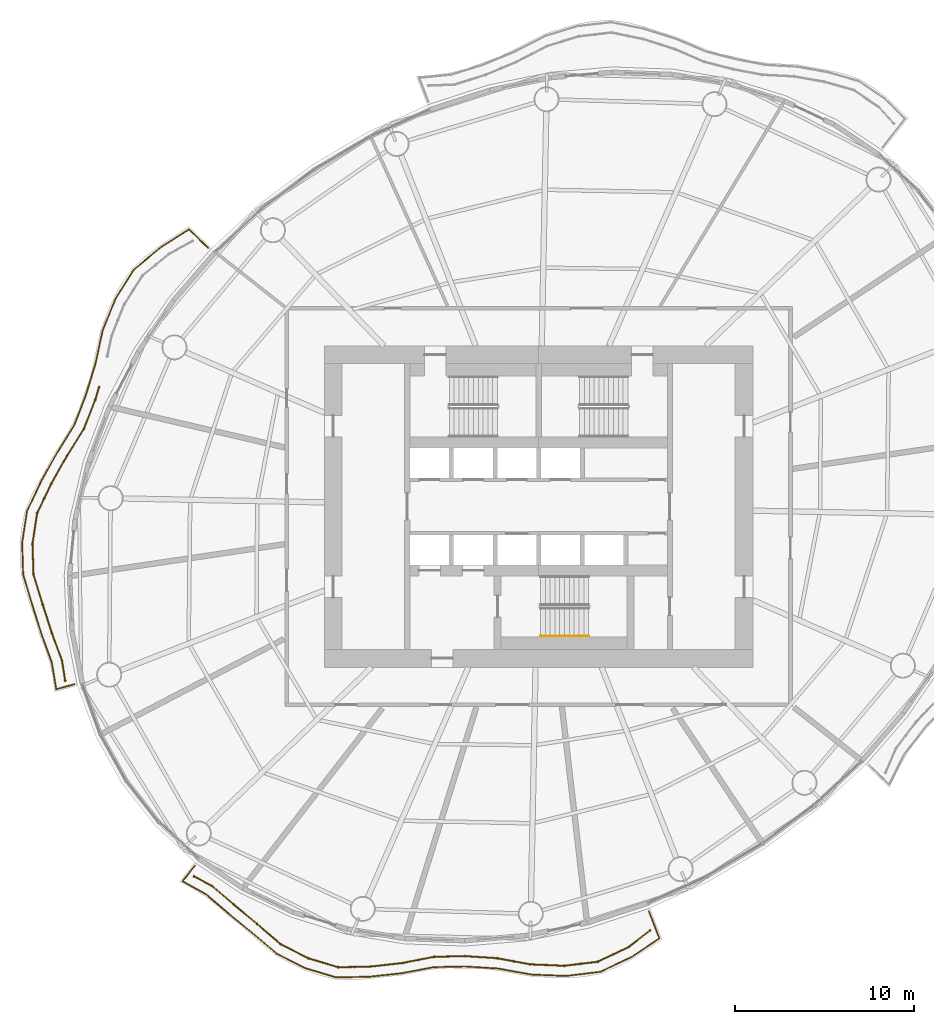
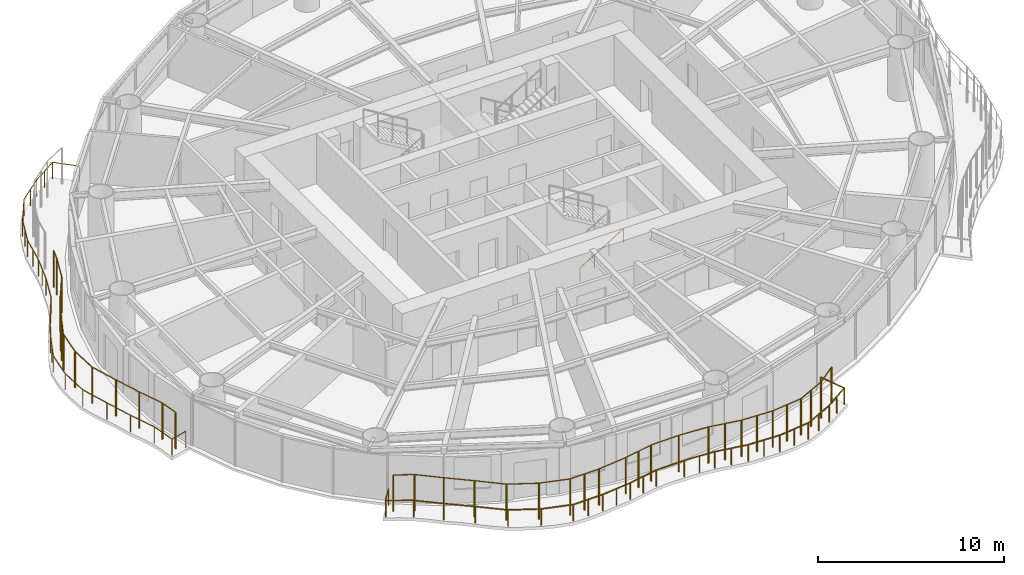
# One storey, part 12 of 15: 5 railings.
"""IFC4 building model written with IfcOpenShell, lengths in metres."""

from ifc_helpers import new_model, si_unit, direction, frame, origin, origin_2d, place, context, subcontext, project, spatial, circle, extrude, material, type_object, element, save


model = new_model("IFC4")

# Units and contexts
model_context = context("Model", 3, precision=1e-05, world=origin(), true_north=direction((0.0, 1.0)))
body_context = subcontext(model_context, "Body", "Model", "MODEL_VIEW")
ifc_project = project(units=[si_unit("LENGTHUNIT", "METRE"), si_unit("AREAUNIT", "SQUARE_METRE"), si_unit("VOLUMEUNIT", "CUBIC_METRE"), si_unit("PLANEANGLEUNIT", "RADIAN"), si_unit("MASSUNIT", "GRAM", prefix="KILO")], contexts=[model_context])

# Site, building, storey
site_placement = place(None, origin())
site = spatial("IfcSite", under=ifc_project, at=site_placement, CompositionType="ELEMENT")
building_placement = place(site_placement, origin())
building = spatial("IfcBuilding", under=site, at=building_placement, Name="Vermilion Reach Broadcast Tower", CompositionType="ELEMENT")
storey_placement = place(building_placement, frame((0.0, 0.0, 168.60009765625)))
storey = spatial("IfcBuildingStorey", under=building, at=storey_placement, Name="L40", CompositionType="ELEMENT", Elevation=168.60009765625)

# Railings
ifc_material_1 = material(Name="Terracotta baguette", Category="masonry")
railing_type_1 = type_object("IfcRailingType", Name="BAGUETTE SCREEN", PredefinedType="USERDEFINED", material=ifc_material_1)
railing_1_placement = place(storey_placement, frame((-30.609375, 6.679931640625, 0.0)))
element("IfcRailing", 1, at=railing_1_placement, inside=storey, type_object=railing_type_1, Name="Baguette screen L40 group 2 part 2", ObjectType="BAGUETTE SCREEN", PredefinedType="USERDEFINED", context=body_context, shape_type="SweptSolid", body=[
    extrude(circle(Radius=0.030029296875, at=origin_2d()), frame((0.0, 0.0, 2.369873046875), z_axis=(-0.290476188121, -0.956882220618, 0.0), x_axis=(0.956882220618, -0.290476188121, 0.0)), (0.0, 0.0, 1.0), 0.737060546875),
    extrude(circle(Radius=0.030029296875, at=origin_2d()), frame((-0.214111328125, -0.705322265625, 2.369873046875), z_axis=(-0.361602854633, -0.932332223792, 0.0), x_axis=(0.932332223792, -0.361602854633, 0.0)), (0.0, 0.0, 1.0), 1.732421875),
    extrude(circle(Radius=0.030029296875, at=origin_2d()), frame((-0.840576171875, -2.320556640625, 2.369873046875), z_axis=(-0.53152745541, -0.847041064025, 0.0), x_axis=(0.847041064025, -0.53152745541, 0.0)), (0.0, 0.0, 1.0), 1.793701171875),
    extrude(circle(Radius=0.030029296875, at=origin_2d()), frame((-1.7939453125, -3.83984375, 2.369873046875), z_axis=(-0.489981873744, -0.871732621509, 0.0), x_axis=(0.871732621509, -0.489981873744, 0.0)), (0.0, 0.0, 1.0), 1.7841796875),
    extrude(circle(Radius=0.030029296875, at=origin_2d()), frame((-2.668212890625, -5.395263671875, 2.369873046875), z_axis=(-0.435595960787, -0.900142299276, 0.0), x_axis=(0.900142299276, -0.435595960787, 0.0)), (0.0, 0.0, 1.0), 1.821533203125),
    extrude(circle(Radius=0.030029296875, at=origin_2d()), frame((-3.461669921875, -7.034912109375, 2.369873046875), z_axis=(-0.152363193982, -0.988324570735, 0.0), x_axis=(0.988324570735, -0.152363193982, 0.0)), (0.0, 0.0, 1.0), 1.738525390625),
    extrude(circle(Radius=0.030029296875, at=origin_2d()), frame((-3.7265625, -8.753173828125, 2.369873046875), z_axis=(0.033524122721, -0.999437908625, 0.0), x_axis=(0.999437908625, 0.033524122721, 0.0)), (0.0, 0.0, 1.0), 1.747802734375),
    extrude(circle(Radius=0.030029296875, at=origin_2d()), frame((-3.66796875, -10.5, 2.369873046875), z_axis=(0.293958397258, -0.955818215291, 0.0), x_axis=(0.955818215291, 0.293958397258, 0.0)), (0.0, 0.0, 1.0), 1.75),
    extrude(circle(Radius=0.030029296875, at=origin_2d()), frame((-3.153564453125, -12.172607421875, 2.369873046875), z_axis=(0.306522509747, -0.951863409854, 0.0), x_axis=(0.951863409854, 0.306522509747, 0.0)), (0.0, 0.0, 1.0), 1.693359375),
    extrude(circle(Radius=0.030029296875, at=origin_2d()), frame((-2.634521484375, -13.784423828125, 2.369873046875), z_axis=(0.345307544404, -0.938489584267, 0.0), x_axis=(0.938489584267, 0.345307544404, 0.0)), (0.0, 0.0, 1.0), 1.62109375),
    extrude(circle(Radius=0.030029296875, at=origin_2d()), frame((-2.07470703125, -15.305908203125, 2.369873046875), z_axis=(0.156072813903, -0.98774555264, 0.0), x_axis=(0.98774555264, 0.156072813903, 0.0)), (0.0, 0.0, 1.0), 1.13720703125),
    extrude(circle(Radius=0.050048828125, at=origin_2d()), origin(), (0.0, 0.0, 1.0), 2.33984375),
    extrude(circle(Radius=0.050048828125, at=origin_2d()), frame((-0.214111328125, -0.705322265625, 0.0)), (0.0, 0.0, 1.0), 2.33984375),
    extrude(circle(Radius=0.050048828125, at=origin_2d()), frame((-0.840576171875, -2.320556640625, 0.0)), (0.0, 0.0, 1.0), 2.33984375),
    extrude(circle(Radius=0.050048828125, at=origin_2d()), frame((-1.7939453125, -3.83984375, 0.0)), (0.0, 0.0, 1.0), 2.33984375),
    extrude(circle(Radius=0.050048828125, at=origin_2d()), frame((-2.668212890625, -5.395263671875, 0.0)), (0.0, 0.0, 1.0), 2.33984375),
    extrude(circle(Radius=0.050048828125, at=origin_2d()), frame((-3.06494140625, -6.215087890625, 0.0)), (0.0, 0.0, 1.0), 2.33984375),
    extrude(circle(Radius=0.050048828125, at=origin_2d()), frame((-3.461669921875, -7.034912109375, 0.0)), (0.0, 0.0, 1.0), 2.33984375),
    extrude(circle(Radius=0.050048828125, at=origin_2d()), frame((-3.7265625, -8.753173828125, 0.0)), (0.0, 0.0, 1.0), 2.33984375),
    extrude(circle(Radius=0.050048828125, at=origin_2d()), frame((-3.66796875, -10.5, 0.0)), (0.0, 0.0, 1.0), 2.33984375),
    extrude(circle(Radius=0.050048828125, at=origin_2d()), frame((-3.153564453125, -12.172607421875, 0.0)), (0.0, 0.0, 1.0), 2.33984375),
    extrude(circle(Radius=0.050048828125, at=origin_2d()), frame((-2.634521484375, -13.784423828125, 0.0)), (0.0, 0.0, 1.0), 2.33984375),
    extrude(circle(Radius=0.050048828125, at=origin_2d()), frame((-2.07470703125, -15.305908203125, 0.0)), (0.0, 0.0, 1.0), 2.33984375),
    extrude(circle(Radius=0.050048828125, at=origin_2d()), frame((-1.897216796875, -16.42919921875, 0.0)), (0.0, 0.0, 1.0), 2.33984375),
])
railing_2_placement = place(storey_placement, frame((-25.295166015625, -20.702880859375, 0.0)))
element("IfcRailing", 2, at=railing_2_placement, inside=storey, type_object=railing_type_1, Name="Baguette screen L40 group 3", ObjectType="BAGUETTE SCREEN", PredefinedType="USERDEFINED", context=body_context, shape_type="SweptSolid", body=[
    extrude(circle(Radius=0.030029296875, at=origin_2d()), frame((0.0, 0.0, 2.369873046875), z_axis=(0.883534155188, -0.468366733037, 0.0), x_axis=(0.468366733037, 0.883534155188, 0.0)), (0.0, 0.0, 1.0), 1.147216796875),
    extrude(circle(Radius=0.030029296875, at=origin_2d()), frame((1.013671875, -0.537353515625, 2.369873046875), z_axis=(0.759106276442, -0.650966712717, 0.0), x_axis=(0.650966712717, 0.759106276442, 0.0)), (0.0, 0.0, 1.0), 1.605224609375),
    extrude(circle(Radius=0.030029296875, at=origin_2d()), frame((2.232177734375, -1.582275390625, 2.369873046875), z_axis=(0.769233247849, -0.63896808246, 0.0), x_axis=(0.63896808246, 0.769233247849, 0.0)), (0.0, 0.0, 1.0), 1.67919921875),
    extrude(circle(Radius=0.030029296875, at=origin_2d()), frame((3.52392578125, -2.6552734375, 2.369873046875), z_axis=(0.758349403457, -0.651848281639, 0.0), x_axis=(0.651848281639, 0.758349403457, 0.0)), (0.0, 0.0, 1.0), 1.7490234375),
    extrude(circle(Radius=0.030029296875, at=origin_2d()), frame((4.850341796875, -3.79541015625, 2.369873046875), z_axis=(0.891282972537, -0.453447530444, 0.0), x_axis=(0.453447530444, 0.891282972537, 0.0)), (0.0, 0.0, 1.0), 1.75146484375),
    extrude(circle(Radius=0.030029296875, at=origin_2d()), frame((6.411376953125, -4.589599609375, 2.369873046875), z_axis=(0.957768330376, -0.287540997647, 0.0), x_axis=(0.287540997647, 0.957768330376, 0.0)), (0.0, 0.0, 1.0), 1.73974609375),
    extrude(circle(Radius=0.030029296875, at=origin_2d()), frame((8.07763671875, -5.08984375, 2.369873046875), z_axis=(0.999759252653, 0.021941666646, 0.0), x_axis=(-0.021941666646, 0.999759252653, 0.0)), (0.0, 0.0, 1.0), 1.813720703125),
    extrude(circle(Radius=0.030029296875, at=origin_2d()), frame((9.890869140625, -5.050048828125, 2.369873046875), z_axis=(0.993714642762, 0.111942881683, 0.0), x_axis=(-0.111942881683, 0.993714642762, 0.0)), (0.0, 0.0, 1.0), 1.79052734375),
    extrude(circle(Radius=0.030029296875, at=origin_2d()), frame((11.670166015625, -4.849609375, 2.369873046875), z_axis=(0.981592951881, 0.190985017257, 0.0), x_axis=(-0.190985017257, 0.981592951881, 0.0)), (0.0, 0.0, 1.0), 1.812744140625),
    extrude(circle(Radius=0.030029296875, at=origin_2d()), frame((13.449462890625, -4.50341796875, 2.369873046875), z_axis=(0.99977385749, 0.021265791306, 0.0), x_axis=(-0.021265791306, 0.99977385749, 0.0)), (0.0, 0.0, 1.0), 1.733642578125),
    extrude(circle(Radius=0.030029296875, at=origin_2d()), frame((15.1826171875, -4.466552734375, 2.369873046875), z_axis=(0.997911161701, -0.064601186922, 0.0), x_axis=(0.064601186922, 0.997911161701, 0.0)), (0.0, 0.0, 1.0), 1.791259765625),
    extrude(circle(Radius=0.030029296875, at=origin_2d()), frame((16.97021484375, -4.582275390625, 2.369873046875), z_axis=(0.98316311633, -0.182730092456, 0.0), x_axis=(0.182730092456, 0.98316311633, 0.0)), (0.0, 0.0, 1.0), 1.882568359375),
    extrude(circle(Radius=0.030029296875, at=origin_2d()), frame((18.821044921875, -4.92626953125, 2.369873046875), z_axis=(0.999101961717, -0.042370627717, 0.0), x_axis=(0.042370627717, 0.999101961717, 0.0)), (0.0, 0.0, 1.0), 1.9072265625),
    extrude(circle(Radius=0.030029296875, at=origin_2d()), frame((20.7265625, -5.007080078125, 2.369873046875), z_axis=(0.992857252377, 0.11930832495, 0.0), x_axis=(-0.11930832495, 0.992857252377, 0.0)), (0.0, 0.0, 1.0), 1.888671875),
    extrude(circle(Radius=0.030029296875, at=origin_2d()), frame((22.601806640625, -4.78173828125, 2.369873046875), z_axis=(0.902705896574, 0.430258136809, 0.0), x_axis=(-0.430258136809, 0.902705896574, 0.0)), (0.0, 0.0, 1.0), 1.927001953125),
    extrude(circle(Radius=0.030029296875, at=origin_2d()), frame((24.34130859375, -3.95263671875, 2.369873046875), z_axis=(0.789308552724, 0.613996749663, 0.0), x_axis=(-0.613996749663, 0.789308552724, 0.0)), (0.0, 0.0, 1.0), 1.50537109375),
    extrude(circle(Radius=0.050048828125, at=origin_2d()), origin(), (0.0, 0.0, 1.0), 2.33984375),
    extrude(circle(Radius=0.050048828125, at=origin_2d()), frame((1.013671875, -0.537353515625, 0.0)), (0.0, 0.0, 1.0), 2.33984375),
    extrude(circle(Radius=0.050048828125, at=origin_2d()), frame((2.232177734375, -1.582275390625, 0.0)), (0.0, 0.0, 1.0), 2.33984375),
    extrude(circle(Radius=0.050048828125, at=origin_2d()), frame((3.52392578125, -2.6552734375, 0.0)), (0.0, 0.0, 1.0), 2.33984375),
    extrude(circle(Radius=0.050048828125, at=origin_2d()), frame((4.850341796875, -3.79541015625, 0.0)), (0.0, 0.0, 1.0), 2.33984375),
    extrude(circle(Radius=0.050048828125, at=origin_2d()), frame((6.411376953125, -4.589599609375, 0.0)), (0.0, 0.0, 1.0), 2.33984375),
    extrude(circle(Radius=0.050048828125, at=origin_2d()), frame((8.07763671875, -5.08984375, 0.0)), (0.0, 0.0, 1.0), 2.33984375),
    extrude(circle(Radius=0.050048828125, at=origin_2d()), frame((8.984375, -5.06982421875, 0.0)), (0.0, 0.0, 1.0), 2.33984375),
    extrude(circle(Radius=0.050048828125, at=origin_2d()), frame((9.890869140625, -5.050048828125, 0.0)), (0.0, 0.0, 1.0), 2.33984375),
    extrude(circle(Radius=0.050048828125, at=origin_2d()), frame((11.670166015625, -4.849609375, 0.0)), (0.0, 0.0, 1.0), 2.33984375),
    extrude(circle(Radius=0.050048828125, at=origin_2d()), frame((12.559814453125, -4.676513671875, 0.0)), (0.0, 0.0, 1.0), 2.33984375),
    extrude(circle(Radius=0.050048828125, at=origin_2d()), frame((13.449462890625, -4.50341796875, 0.0)), (0.0, 0.0, 1.0), 2.33984375),
    extrude(circle(Radius=0.050048828125, at=origin_2d()), frame((15.1826171875, -4.466552734375, 0.0)), (0.0, 0.0, 1.0), 2.33984375),
    extrude(circle(Radius=0.050048828125, at=origin_2d()), frame((16.97021484375, -4.582275390625, 0.0)), (0.0, 0.0, 1.0), 2.33984375),
    extrude(circle(Radius=0.050048828125, at=origin_2d()), frame((17.8955078125, -4.75439453125, 0.0)), (0.0, 0.0, 1.0), 2.33984375),
    extrude(circle(Radius=0.050048828125, at=origin_2d()), frame((18.821044921875, -4.92626953125, 0.0)), (0.0, 0.0, 1.0), 2.33984375),
    extrude(circle(Radius=0.050048828125, at=origin_2d()), frame((19.77392578125, -4.966796875, 0.0)), (0.0, 0.0, 1.0), 2.33984375),
    extrude(circle(Radius=0.050048828125, at=origin_2d()), frame((20.7265625, -5.007080078125, 0.0)), (0.0, 0.0, 1.0), 2.33984375),
    extrude(circle(Radius=0.050048828125, at=origin_2d()), frame((21.6640625, -4.89453125, 0.0)), (0.0, 0.0, 1.0), 2.33984375),
    extrude(circle(Radius=0.050048828125, at=origin_2d()), frame((22.601806640625, -4.78173828125, 0.0)), (0.0, 0.0, 1.0), 2.33984375),
    extrude(circle(Radius=0.050048828125, at=origin_2d()), frame((23.4716796875, -4.3671875, 0.0)), (0.0, 0.0, 1.0), 2.33984375),
    extrude(circle(Radius=0.050048828125, at=origin_2d()), frame((24.34130859375, -3.95263671875, 0.0)), (0.0, 0.0, 1.0), 2.33984375),
    extrude(circle(Radius=0.050048828125, at=origin_2d()), frame((25.529541015625, -3.0283203125, 0.0)), (0.0, 0.0, 1.0), 2.33984375),
])
ifc_material_2 = material(Name="Stainless steel 316 balustrade", Category="steel")
railing_type_2 = type_object("IfcRailingType", Name="Balcony guard 1100", PredefinedType="BALUSTRADE", material=ifc_material_2)
railing_3_placement = place(storey_placement, frame((-24.496826171875, 14.470458984375, 0.0)))
element("IfcRailing", 3, at=railing_3_placement, inside=storey, type_object=railing_type_2, Name="Balcony guard L40 group 2", PredefinedType="BALUSTRADE", context=body_context, shape_type="SweptSolid", body=[
    extrude(circle(Radius=0.02490234375, at=origin_2d()), frame((0.0, 0.0, 1.0751953125), z_axis=(-0.719342688256, 0.694655379921, 0.0), x_axis=(-0.694655379921, -0.719342688256, 0.0)), (0.0, 0.0, 1.0), 1.503173828125),
    extrude(circle(Radius=0.02490234375, at=origin_2d()), frame((-1.081298828125, 1.044189453125, 1.0751953125), z_axis=(-0.843759310793, -0.536721739312, 0.0), x_axis=(0.536721739312, -0.843759310793, 0.0)), (0.0, 0.0, 1.0), 1.849609375),
    extrude(circle(Radius=0.02490234375, at=origin_2d()), frame((-2.641845703125, 0.051513671875, 1.0751953125), z_axis=(-0.770087680905, -0.637938056333, 0.0), x_axis=(0.637938056333, -0.770087680905, 0.0)), (0.0, 0.0, 1.0), 1.969482421875),
    extrude(circle(Radius=0.02490234375, at=origin_2d()), frame((-4.158447265625, -1.204833984375, 1.0751953125), z_axis=(-0.535340196831, -0.844636533461, 0.0), x_axis=(0.844636533461, -0.535340196831, 0.0)), (0.0, 0.0, 1.0), 1.9150390625),
    extrude(circle(Radius=0.02490234375, at=origin_2d()), frame((-5.18359375, -2.822265625, 1.0751953125), z_axis=(-0.375344986108, -0.926885182428, 0.0), x_axis=(0.926885182428, -0.375344986108, 0.0)), (0.0, 0.0, 1.0), 1.935791015625),
    extrude(circle(Radius=0.02490234375, at=origin_2d()), frame((-5.91015625, -4.616455078125, 1.0751953125), z_axis=(-0.210818870652, -0.977525142274, 0.0), x_axis=(0.977525142274, -0.210818870652, 0.0)), (0.0, 0.0, 1.0), 1.92578125),
    extrude(circle(Radius=0.02490234375, at=origin_2d()), frame((-6.316162109375, -6.4990234375, 1.0751953125), z_axis=(-0.293246556149, -0.956036849346, 0.0), x_axis=(0.956036849346, -0.293246556149, 0.0)), (0.0, 0.0, 1.0), 1.83984375),
    extrude(circle(Radius=0.02490234375, at=origin_2d()), frame((-6.855712890625, -8.258056640625, 1.0751953125), z_axis=(-0.362039767356, -0.932162650428, 0.0), x_axis=(0.932162650428, -0.362039767356, 0.0)), (0.0, 0.0, 1.0), 1.76806640625),
    extrude(circle(Radius=0.02490234375, at=origin_2d()), frame((-7.495849609375, -9.90625, 1.0751953125), z_axis=(-0.527562125691, -0.849516452776, 0.0), x_axis=(0.849516452776, -0.527562125691, 0.0)), (0.0, 0.0, 1.0), 1.829833984375),
    extrude(circle(Radius=0.02490234375, at=origin_2d()), frame((-8.461181640625, -11.460693359375, 1.0751953125), z_axis=(-0.48552904815, -0.874220534764, 0.0), x_axis=(0.874220534764, -0.48552904815, 0.0)), (0.0, 0.0, 1.0), 1.8203125),
    extrude(circle(Radius=0.02490234375, at=origin_2d()), frame((-9.344970703125, -13.052001953125, 1.0751953125), z_axis=(-0.430911855585, -0.902394022984, 0.0), x_axis=(0.902394022984, -0.430911855585, 0.0)), (0.0, 0.0, 1.0), 1.859375),
    extrude(circle(Radius=0.02490234375, at=origin_2d()), frame((-10.146240234375, -14.72998046875, 1.0751953125), z_axis=(-0.152026225003, -0.988376460116, 0.0), x_axis=(0.988376460116, -0.152026225003, 0.0)), (0.0, 0.0, 1.0), 1.77783203125),
    extrude(circle(Radius=0.02490234375, at=origin_2d()), frame((-10.41650390625, -16.487060546875, 1.0751953125), z_axis=(0.031388131128, -0.999507271221, 0.0), x_axis=(0.999507271221, 0.031388131128, 0.0)), (0.0, 0.0, 1.0), 1.7890625),
    extrude(circle(Radius=0.02490234375, at=origin_2d()), frame((-10.3603515625, -18.275146484375, 1.0751953125), z_axis=(0.287598209309, -0.957751152441, 0.0), x_axis=(0.957751152441, 0.287598209309, 0.0)), (0.0, 0.0, 1.0), 1.78955078125),
    extrude(circle(Radius=0.02490234375, at=origin_2d()), frame((-9.845703125, -19.989013671875, 1.0751953125), z_axis=(0.301205430133, -0.953559273909, 0.0), x_axis=(0.953559273909, 0.301205430133, 0.0)), (0.0, 0.0, 1.0), 1.7353515625),
    extrude(circle(Radius=0.02490234375, at=origin_2d()), frame((-9.322998046875, -21.643798828125, 1.0751953125), z_axis=(0.340599897235, -0.940208333298, 0.0), x_axis=(0.940208333298, 0.340599897235, 0.0)), (0.0, 0.0, 1.0), 1.66357421875),
    extrude(circle(Radius=0.02490234375, at=origin_2d()), frame((-8.75634765625, -23.2080078125, 1.0751953125), z_axis=(0.16617954183, -0.986095512553, 0.0), x_axis=(0.986095512553, 0.16617954183, 0.0)), (0.0, 0.0, 1.0), 1.51171875),
    extrude(circle(Radius=0.02490234375, at=origin_2d()), frame((-8.505126953125, -24.69873046875, 1.0751953125), z_axis=(0.963524600593, 0.267619775153, 0.0), x_axis=(-0.267619775153, 0.963524600593, 0.0)), (0.0, 0.0, 1.0), 1.04541015625),
    extrude(circle(Radius=0.02490234375, at=origin_2d()), origin(), (0.0, 0.0, 1.0), 1.050048828125),
    extrude(circle(Radius=0.02490234375, at=origin_2d()), frame((-1.081298828125, 1.044189453125, 0.0)), (0.0, 0.0, 1.0), 1.050048828125),
    extrude(circle(Radius=0.02490234375, at=origin_2d()), frame((-1.861572265625, 0.5478515625, 0.0)), (0.0, 0.0, 1.0), 1.050048828125),
    extrude(circle(Radius=0.02490234375, at=origin_2d()), frame((-2.641845703125, 0.051513671875, 0.0)), (0.0, 0.0, 1.0), 1.050048828125),
    extrude(circle(Radius=0.02490234375, at=origin_2d()), frame((-3.400146484375, -0.57666015625, 0.0)), (0.0, 0.0, 1.0), 1.050048828125),
    extrude(circle(Radius=0.02490234375, at=origin_2d()), frame((-4.158447265625, -1.204833984375, 0.0)), (0.0, 0.0, 1.0), 1.050048828125),
    extrude(circle(Radius=0.02490234375, at=origin_2d()), frame((-4.6708984375, -2.013671875, 0.0)), (0.0, 0.0, 1.0), 1.050048828125),
    extrude(circle(Radius=0.02490234375, at=origin_2d()), frame((-5.18359375, -2.822265625, 0.0)), (0.0, 0.0, 1.0), 1.050048828125),
    extrude(circle(Radius=0.02490234375, at=origin_2d()), frame((-5.546875, -3.71923828125, 0.0)), (0.0, 0.0, 1.0), 1.050048828125),
    extrude(circle(Radius=0.02490234375, at=origin_2d()), frame((-5.91015625, -4.616455078125, 0.0)), (0.0, 0.0, 1.0), 1.050048828125),
    extrude(circle(Radius=0.02490234375, at=origin_2d()), frame((-6.11328125, -5.5576171875, 0.0)), (0.0, 0.0, 1.0), 1.050048828125),
    extrude(circle(Radius=0.02490234375, at=origin_2d()), frame((-6.316162109375, -6.4990234375, 0.0)), (0.0, 0.0, 1.0), 1.050048828125),
    extrude(circle(Radius=0.02490234375, at=origin_2d()), frame((-6.5859375, -7.37841796875, 0.0)), (0.0, 0.0, 1.0), 1.050048828125),
    extrude(circle(Radius=0.02490234375, at=origin_2d()), frame((-6.855712890625, -8.258056640625, 0.0)), (0.0, 0.0, 1.0), 1.050048828125),
    extrude(circle(Radius=0.02490234375, at=origin_2d()), frame((-7.495849609375, -9.90625, 0.0)), (0.0, 0.0, 1.0), 1.050048828125),
    extrude(circle(Radius=0.02490234375, at=origin_2d()), frame((-7.978515625, -10.68359375, 0.0)), (0.0, 0.0, 1.0), 1.050048828125),
    extrude(circle(Radius=0.02490234375, at=origin_2d()), frame((-8.461181640625, -11.460693359375, 0.0)), (0.0, 0.0, 1.0), 1.050048828125),
    extrude(circle(Radius=0.02490234375, at=origin_2d()), frame((-8.903076171875, -12.25634765625, 0.0)), (0.0, 0.0, 1.0), 1.050048828125),
    extrude(circle(Radius=0.02490234375, at=origin_2d()), frame((-9.344970703125, -13.052001953125, 0.0)), (0.0, 0.0, 1.0), 1.050048828125),
    extrude(circle(Radius=0.02490234375, at=origin_2d()), frame((-9.74560546875, -13.89111328125, 0.0)), (0.0, 0.0, 1.0), 1.050048828125),
    extrude(circle(Radius=0.02490234375, at=origin_2d()), frame((-10.146240234375, -14.72998046875, 0.0)), (0.0, 0.0, 1.0), 1.050048828125),
    extrude(circle(Radius=0.02490234375, at=origin_2d()), frame((-10.41650390625, -16.487060546875, 0.0)), (0.0, 0.0, 1.0), 1.050048828125),
    extrude(circle(Radius=0.02490234375, at=origin_2d()), frame((-10.3603515625, -18.275146484375, 0.0)), (0.0, 0.0, 1.0), 1.050048828125),
    extrude(circle(Radius=0.02490234375, at=origin_2d()), frame((-9.845703125, -19.989013671875, 0.0)), (0.0, 0.0, 1.0), 1.050048828125),
    extrude(circle(Radius=0.02490234375, at=origin_2d()), frame((-9.322998046875, -21.643798828125, 0.0)), (0.0, 0.0, 1.0), 1.050048828125),
    extrude(circle(Radius=0.02490234375, at=origin_2d()), frame((-8.75634765625, -23.2080078125, 0.0)), (0.0, 0.0, 1.0), 1.050048828125),
    extrude(circle(Radius=0.02490234375, at=origin_2d()), frame((-8.505126953125, -24.69873046875, 0.0)), (0.0, 0.0, 1.0), 1.050048828125),
    extrude(circle(Radius=0.02490234375, at=origin_2d()), frame((-7.497802734375, -24.4189453125, 0.0)), (0.0, 0.0, 1.0), 1.050048828125),
])
railing_4_placement = place(storey_placement, frame((-25.244384765625, -20.1083984375, 0.0)))
element("IfcRailing", 4, at=railing_4_placement, inside=storey, type_object=railing_type_2, Name="Balcony guard L40 group 3", PredefinedType="BALUSTRADE", context=body_context, shape_type="SweptSolid", body=[
    extrude(circle(Radius=0.02490234375, at=origin_2d()), frame((0.0, 0.0, 1.0751953125), z_axis=(-0.620232417704, -0.784418095169, 0.0), x_axis=(0.784418095169, -0.620232417704, 0.0)), (0.0, 0.0, 1.0), 1.103271484375),
    extrude(circle(Radius=0.02490234375, at=origin_2d()), frame((-0.684326171875, -0.865478515625, 1.0751953125), z_axis=(0.870673475378, -0.491861463497, 0.0), x_axis=(0.491861463497, 0.870673475378, 0.0)), (0.0, 0.0, 1.0), 1.520263671875),
    extrude(circle(Radius=0.02490234375, at=origin_2d()), frame((0.639404296875, -1.61328125, 1.0751953125), z_axis=(0.761708960159, -0.647919331409, 0.0), x_axis=(0.647919331409, 0.761708960159, 0.0)), (0.0, 0.0, 1.0), 1.647705078125),
    extrude(circle(Radius=0.02490234375, at=origin_2d()), frame((1.89453125, -2.680908203125, 1.0751953125), z_axis=(0.772723770411, -0.634742447487, 0.0), x_axis=(0.634742447487, 0.772723770411, 0.0)), (0.0, 0.0, 1.0), 1.7216796875),
    extrude(circle(Radius=0.02490234375, at=origin_2d()), frame((3.224853515625, -3.773681640625, 1.0751953125), z_axis=(0.762733544539, -0.646712872947, 0.0), x_axis=(0.646712872947, 0.762733544539, 0.0)), (0.0, 0.0, 1.0), 1.78857421875),
    extrude(circle(Radius=0.02490234375, at=origin_2d()), frame((4.589111328125, -4.930419921875, 1.0751953125), z_axis=(0.892731786249, -0.450588457265, 0.0), x_axis=(0.450588457265, 0.892731786249, 0.0)), (0.0, 0.0, 1.0), 1.79248046875),
    extrude(circle(Radius=0.02490234375, at=origin_2d()), frame((6.189208984375, -5.738037109375, 1.0751953125), z_axis=(0.957928224435, -0.287007868935, 0.0), x_axis=(0.287007868935, 0.957928224435, 0.0)), (0.0, 0.0, 1.0), 1.77880859375),
    extrude(circle(Radius=0.02490234375, at=origin_2d()), frame((7.89306640625, -6.24853515625, 1.0751953125), z_axis=(0.999850851539, 0.017270630479, 0.0), x_axis=(-0.017270630479, 0.999850851539, 0.0)), (0.0, 0.0, 1.0), 1.851806640625),
    extrude(circle(Radius=0.02490234375, at=origin_2d()), frame((9.74462890625, -6.216552734375, 1.0751953125), z_axis=(0.994254422854, 0.107042714073, 0.0), x_axis=(-0.107042714073, 0.994254422854, 0.0)), (0.0, 0.0, 1.0), 1.826904296875),
    extrude(circle(Radius=0.02490234375, at=origin_2d()), frame((11.56103515625, -6.02099609375, 1.0751953125), z_axis=(0.982583934116, 0.185819300444, 0.0), x_axis=(-0.185819300444, 0.982583934116, 0.0)), (0.0, 0.0, 1.0), 1.8486328125),
    extrude(circle(Radius=0.02490234375, at=origin_2d()), frame((13.37744140625, -5.677490234375, 1.0751953125), z_axis=(0.999785683303, 0.020702354016, 0.0), x_axis=(-0.020702354016, 0.999785683303, 0.0)), (0.0, 0.0, 1.0), 1.76904296875),
    extrude(circle(Radius=0.02490234375, at=origin_2d()), frame((15.14599609375, -5.640869140625, 1.0751953125), z_axis=(0.998058295251, -0.062286750447, 0.0), x_axis=(0.062286750447, 0.998058295251, 0.0)), (0.0, 0.0, 1.0), 1.82666015625),
    extrude(circle(Radius=0.02490234375, at=origin_2d()), frame((16.968994140625, -5.754638671875, 1.0751953125), z_axis=(0.984103647721, -0.177595074657, 0.0), x_axis=(0.177595074657, 0.984103647721, 0.0)), (0.0, 0.0, 1.0), 1.9150390625),
    extrude(circle(Radius=0.02490234375, at=origin_2d()), frame((18.853515625, -6.0947265625, 1.0751953125), z_axis=(0.999248668872, -0.038756905933, 0.0), x_axis=(0.038756905933, 0.999248668872, 0.0)), (0.0, 0.0, 1.0), 1.940185546875),
    extrude(circle(Radius=0.02490234375, at=origin_2d()), frame((20.792236328125, -6.169921875, 1.0751953125), z_axis=(0.99262575404, 0.121219274111, 0.0), x_axis=(-0.121219274111, 0.99262575404, 0.0)), (0.0, 0.0, 1.0), 1.92138671875),
    extrude(circle(Radius=0.02490234375, at=origin_2d()), frame((22.699462890625, -5.93701171875, 1.0751953125), z_axis=(0.90381648193, 0.427920281118, 0.0), x_axis=(-0.427920281118, 0.90381648193, 0.0)), (0.0, 0.0, 1.0), 1.959228515625),
    extrude(circle(Radius=0.02490234375, at=origin_2d()), frame((24.47021484375, -5.0986328125, 1.0751953125), z_axis=(0.828029360014, 0.560684741147, 0.0), x_axis=(-0.560684741147, 0.828029360014, 0.0)), (0.0, 0.0, 1.0), 1.85009765625),
    extrude(circle(Radius=0.02490234375, at=origin_2d()), frame((26.002197265625, -4.061279296875, 1.0751953125), z_axis=(-0.361602696269, 0.932332285213, 0.0), x_axis=(-0.932332285213, -0.361602696269, 0.0)), (0.0, 0.0, 1.0), 1.620361328125),
    extrude(circle(Radius=0.02490234375, at=origin_2d()), origin(), (0.0, 0.0, 1.0), 1.050048828125),
    extrude(circle(Radius=0.02490234375, at=origin_2d()), frame((-0.684326171875, -0.865478515625, 0.0)), (0.0, 0.0, 1.0), 1.050048828125),
    extrude(circle(Radius=0.02490234375, at=origin_2d()), frame((0.639404296875, -1.61328125, 0.0)), (0.0, 0.0, 1.0), 1.050048828125),
    extrude(circle(Radius=0.02490234375, at=origin_2d()), frame((1.89453125, -2.680908203125, 0.0)), (0.0, 0.0, 1.0), 1.050048828125),
    extrude(circle(Radius=0.02490234375, at=origin_2d()), frame((3.224853515625, -3.773681640625, 0.0)), (0.0, 0.0, 1.0), 1.050048828125),
    extrude(circle(Radius=0.02490234375, at=origin_2d()), frame((4.589111328125, -4.930419921875, 0.0)), (0.0, 0.0, 1.0), 1.050048828125),
    extrude(circle(Radius=0.02490234375, at=origin_2d()), frame((6.189208984375, -5.738037109375, 0.0)), (0.0, 0.0, 1.0), 1.050048828125),
    extrude(circle(Radius=0.02490234375, at=origin_2d()), frame((7.89306640625, -6.24853515625, 0.0)), (0.0, 0.0, 1.0), 1.050048828125),
    extrude(circle(Radius=0.02490234375, at=origin_2d()), frame((8.81884765625, -6.232421875, 0.0)), (0.0, 0.0, 1.0), 1.050048828125),
    extrude(circle(Radius=0.02490234375, at=origin_2d()), frame((9.74462890625, -6.216552734375, 0.0)), (0.0, 0.0, 1.0), 1.050048828125),
    extrude(circle(Radius=0.02490234375, at=origin_2d()), frame((10.65283203125, -6.11865234375, 0.0)), (0.0, 0.0, 1.0), 1.050048828125),
    extrude(circle(Radius=0.02490234375, at=origin_2d()), frame((11.56103515625, -6.02099609375, 0.0)), (0.0, 0.0, 1.0), 1.050048828125),
    extrude(circle(Radius=0.02490234375, at=origin_2d()), frame((12.46923828125, -5.84912109375, 0.0)), (0.0, 0.0, 1.0), 1.050048828125),
    extrude(circle(Radius=0.02490234375, at=origin_2d()), frame((13.37744140625, -5.677490234375, 0.0)), (0.0, 0.0, 1.0), 1.050048828125),
    extrude(circle(Radius=0.02490234375, at=origin_2d()), frame((15.14599609375, -5.640869140625, 0.0)), (0.0, 0.0, 1.0), 1.050048828125),
    extrude(circle(Radius=0.02490234375, at=origin_2d()), frame((16.0576171875, -5.69775390625, 0.0)), (0.0, 0.0, 1.0), 1.050048828125),
    extrude(circle(Radius=0.02490234375, at=origin_2d()), frame((16.968994140625, -5.754638671875, 0.0)), (0.0, 0.0, 1.0), 1.050048828125),
    extrude(circle(Radius=0.02490234375, at=origin_2d()), frame((17.9111328125, -5.9248046875, 0.0)), (0.0, 0.0, 1.0), 1.050048828125),
    extrude(circle(Radius=0.02490234375, at=origin_2d()), frame((18.853515625, -6.0947265625, 0.0)), (0.0, 0.0, 1.0), 1.050048828125),
    extrude(circle(Radius=0.02490234375, at=origin_2d()), frame((19.82275390625, -6.13232421875, 0.0)), (0.0, 0.0, 1.0), 1.050048828125),
    extrude(circle(Radius=0.02490234375, at=origin_2d()), frame((20.792236328125, -6.169921875, 0.0)), (0.0, 0.0, 1.0), 1.050048828125),
    extrude(circle(Radius=0.02490234375, at=origin_2d()), frame((21.745849609375, -6.053466796875, 0.0)), (0.0, 0.0, 1.0), 1.050048828125),
    extrude(circle(Radius=0.02490234375, at=origin_2d()), frame((22.699462890625, -5.93701171875, 0.0)), (0.0, 0.0, 1.0), 1.050048828125),
    extrude(circle(Radius=0.02490234375, at=origin_2d()), frame((23.5849609375, -5.517822265625, 0.0)), (0.0, 0.0, 1.0), 1.050048828125),
    extrude(circle(Radius=0.02490234375, at=origin_2d()), frame((24.47021484375, -5.0986328125, 0.0)), (0.0, 0.0, 1.0), 1.050048828125),
    extrude(circle(Radius=0.02490234375, at=origin_2d()), frame((25.236328125, -4.580078125, 0.0)), (0.0, 0.0, 1.0), 1.050048828125),
    extrude(circle(Radius=0.02490234375, at=origin_2d()), frame((26.002197265625, -4.061279296875, 0.0)), (0.0, 0.0, 1.0), 1.050048828125),
    extrude(circle(Radius=0.02490234375, at=origin_2d()), frame((25.416259765625, -2.550537109375, 0.0)), (0.0, 0.0, 1.0), 1.050048828125),
])
ifc_material_3 = material(Name="Stainless steel", Category="steel")
railing_type_3 = type_object("IfcRailingType", Name="Stair handrail", PredefinedType="HANDRAIL", material=ifc_material_3)
railing_5_placement = place(storey_placement, frame((-5.89990234375, -7.25, 0.16357421875)))
element("IfcRailing", 5, at=railing_5_placement, inside=storey, type_object=railing_type_3, Name="L40 ST3 stair handrail 1", PredefinedType="HANDRAIL", context=body_context, shape_type="SweptSolid", body=[
    extrude(circle(Radius=0.02392578125, at=origin_2d()), frame((0.0, 0.0, 0.8759765625), z_axis=(0.855212373127, 0.0, 0.518277721738), x_axis=(0.0, 1.0, 0.0)), (0.0, 0.0, 1.0), 3.156982421875),
    extrude(circle(Radius=0.02099609375, at=origin_2d()), origin(), (0.0, 0.0, 1.0), 0.851806640625),
    extrude(circle(Radius=0.02099609375, at=origin_2d()), frame((0.89990234375, 0.0, 0.54541015625)), (0.0, 0.0, 1.0), 0.851806640625),
    extrude(circle(Radius=0.02099609375, at=origin_2d()), frame((1.800048828125, 0.0, 1.0908203125)), (0.0, 0.0, 1.0), 0.851806640625),
    extrude(circle(Radius=0.02099609375, at=origin_2d()), frame((2.699951171875, 0.0, 1.63623046875)), (0.0, 0.0, 1.0), 0.851806640625),
])

save(model, "model.ifc")
